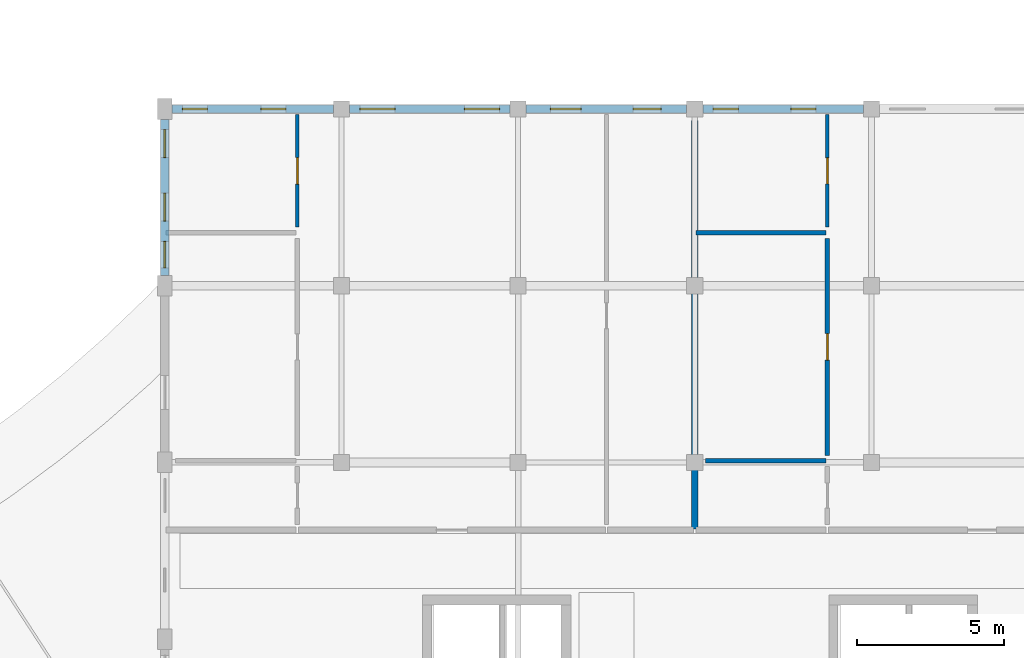
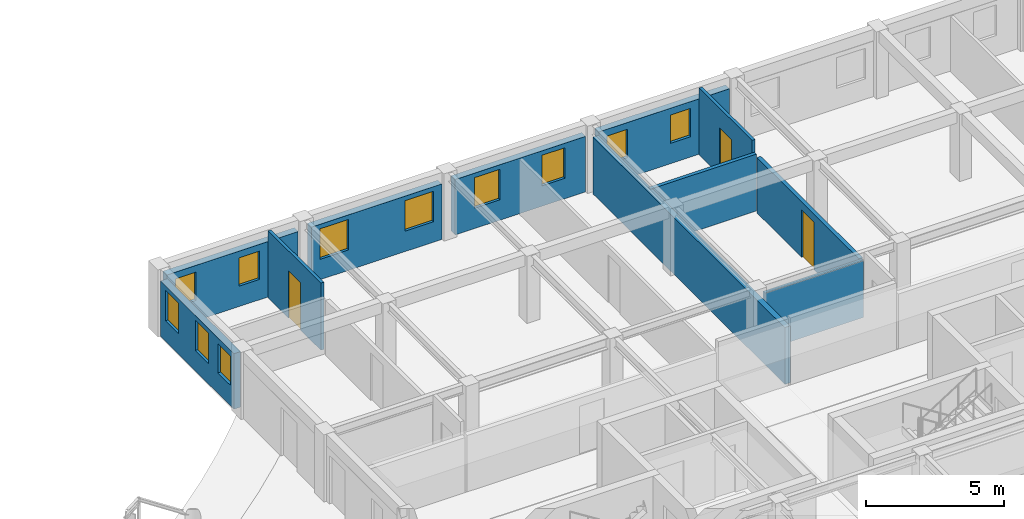
# One storey, part 66 of 101: 11 walls, 11 windows, 3 doors, 14 openings.
"""IFC4 building model written with IfcOpenShell, lengths in metres."""

from ifc_helpers import new_model, si_unit, direction, frame, frame_2d, origin, place, context, subcontext, project, spatial, rectangle, extrude, material, layer, layer_set, type_object, element, fill, save


model = new_model("IFC4")

# Units and contexts
model_context = context("Model", 3, precision=1e-05, world=origin(), true_north=direction((0.0, 1.0)))
body_context = subcontext(model_context, "Body", "Model", "MODEL_VIEW")
ifc_project = project(units=[si_unit("LENGTHUNIT", "METRE"), si_unit("AREAUNIT", "SQUARE_METRE"), si_unit("VOLUMEUNIT", "CUBIC_METRE"), si_unit("PLANEANGLEUNIT", "RADIAN"), si_unit("MASSUNIT", "GRAM", prefix="KILO"), si_unit("POWERUNIT", "WATT"), si_unit("THERMODYNAMICTEMPERATUREUNIT", "KELVIN")], contexts=[model_context])

# Site, building, storey
site_placement = place(None, origin())
site = spatial("IfcSite", under=ifc_project, at=site_placement, CompositionType="ELEMENT")
building_placement = place(site_placement, origin())
building = spatial("IfcBuilding", under=site, at=building_placement, Name="Ruvembo Vaulted Housing Court", CompositionType="ELEMENT")
storey_placement = place(building_placement, frame((0.0, 0.0, 17.300048828125)))
storey = spatial("IfcBuildingStorey", under=building, at=storey_placement, Name="L05", CompositionType="ELEMENT", Elevation=17.300048828125)

# Wall
ifc_material_1 = material(Name="Acoustic Masonry Demising 230", Category="masonry")
ifc_layer_1 = layer(ifc_material_1, 0.22998046875, Name="Acoustic Masonry Demising 230")
ifc_layer_set_1 = layer_set([ifc_layer_1], Name="Acoustic Masonry Demising 230")
wall_type_1 = type_object("IfcWallType", Name="WL-DEM-230", PredefinedType="SOLIDWALL", material=ifc_layer_set_1)
wall_1_placement = place(storey_placement, frame((120.0, 21.739990234375, 0.0), z_axis=(0.0, 0.0, 1.0), x_axis=(0.0, 1.0, 0.0)))
element("IfcWall", 1, at=wall_1_placement, inside=storey, type_object=wall_type_1, Name="L05 Demising C-L05-N1 WL-INT-L05-01517", PredefinedType="SOLIDWALL", context=body_context, shape_type="SweptSolid", body=[
    extrude(rectangle(XDim=13.8701171875, YDim=0.22998046875, at=frame_2d((6.93505859375, 0.0))), origin(), (0.0, 0.0, 1.0), 2.508056640625),
])

# Wall, openings, windows
ifc_material_2 = material(Name="Rendered Masonry 285", Category="masonry")
ifc_layer_2 = layer(ifc_material_2, 0.284912109375, Name="Rendered Masonry 285")
ifc_layer_set_2 = layer_set([ifc_layer_2], Name="Rendered Masonry 285")
wall_type_2 = type_object("IfcWallType", Name="WL-EXT-285", PredefinedType="STANDARD", material=ifc_layer_set_2)
wall_2_placement = place(storey_placement, frame((125.72509765625, 36.0, 0.0), z_axis=(0.0, 0.0, 1.0), x_axis=(-1.0, 0.0, 0.0)))
wall_2 = element("IfcWall", 2, at=wall_2_placement, inside=storey, type_object=wall_type_2, Name="Block C L05 Exterior Wall COURTYARD #3", PredefinedType="STANDARD", context=body_context, shape_type="SweptSolid", body=[
    extrude(rectangle(XDim=5.4501953125, YDim=0.284912109375, at=frame_2d((2.72509765625, 0.0))), origin(), (0.0, 0.0, 1.0), 2.447021484375),
])
opening_1_placement = place(wall_2_placement, frame((1.614990234375, 0.0, 0.89990234375)))
opening_1 = element("IfcOpeningElement", 3, at=opening_1_placement, cuts=wall_2, Name="Opening W03", PredefinedType="OPENING", context=body_context, shape_type="SweptSolid", body=[
    extrude(rectangle(XDim=0.85009765625, YDim=1.25, at=frame_2d((0.425048828125, 0.625))), frame((0.0, 0.15234375, 0.0), z_axis=(0.0, -1.0, 0.0), x_axis=(1.0, 0.0, 0.0)), (0.0, 0.0, 1.0), 0.304931640625),
])
opening_2_placement = place(wall_2_placement, frame((4.25, 0.0, 0.89990234375)))
opening_2 = element("IfcOpeningElement", 4, at=opening_2_placement, cuts=wall_2, Name="Opening W03", PredefinedType="OPENING", context=body_context, shape_type="SweptSolid", body=[
    extrude(rectangle(XDim=0.85009765625, YDim=1.25, at=frame_2d((0.425048828125, 0.625))), frame((0.0, 0.15234375, 0.0), z_axis=(0.0, -1.0, 0.0), x_axis=(1.0, 0.0, 0.0)), (0.0, 0.0, 1.0), 0.304931640625),
])
ifc_material_3 = material(Name="Double Solar-Control Glazing in Aluminium Frame", Category="aluminium")
window_type_1 = type_object("IfcWindowType", Name="WIN-0850x1250", PartitioningType="SINGLE_PANEL", PredefinedType="WINDOW", material=ifc_material_3)
window_1_placement = place(opening_1_placement, origin())
window_1 = element("IfcWindow", 5, at=window_1_placement, inside=storey, type_object=window_type_1, Name="Block C L05 Window #1309", OverallHeight=1.25, OverallWidth=0.85009765625, PartitioningType="SINGLE_PANEL", PredefinedType="WINDOW", context=body_context, shape_type="SweptSolid", body=[
    extrude(rectangle(XDim=0.85009765625, YDim=1.25, at=frame_2d((0.425048828125, 0.625))), frame((0.0, 0.030029296875, 0.0), z_axis=(0.0, -1.0, 0.0), x_axis=(1.0, 0.0, 0.0)), (0.0, 0.0, 1.0), 0.06005859375),
])
fill(opening_1, window_1)
window_2_placement = place(opening_2_placement, origin())
window_2 = element("IfcWindow", 6, at=window_2_placement, inside=storey, type_object=window_type_1, Name="Block C L05 Window #1310", OverallHeight=1.25, OverallWidth=0.85009765625, PartitioningType="SINGLE_PANEL", PredefinedType="WINDOW", context=body_context, shape_type="SweptSolid", body=[
    extrude(rectangle(XDim=0.85009765625, YDim=1.25, at=frame_2d((0.425048828125, 0.625))), frame((0.0, 0.030029296875, 0.0), z_axis=(0.0, -1.0, 0.0), x_axis=(1.0, 0.0, 0.0)), (0.0, 0.0, 1.0), 0.06005859375),
])
fill(opening_2, window_2)

wall_3_placement = place(storey_placement, frame((119.72509765625, 36.0, 0.0), z_axis=(0.0, 0.0, 1.0), x_axis=(-1.0, 0.0, 0.0)))
wall_3 = element("IfcWall", 7, at=wall_3_placement, inside=storey, type_object=wall_type_2, Name="Block C L05 Exterior Wall COURTYARD #4", PredefinedType="STANDARD", context=body_context, shape_type="SweptSolid", body=[
    extrude(rectangle(XDim=5.4501953125, YDim=0.284912109375, at=frame_2d((2.72509765625, 0.0))), origin(), (0.0, 0.0, 1.0), 2.447021484375),
])
opening_3_placement = place(wall_3_placement, frame((0.867431640625, 0.0, 0.89990234375)))
opening_3 = element("IfcOpeningElement", 8, at=opening_3_placement, cuts=wall_3, Name="Opening W07", PredefinedType="OPENING", context=body_context, shape_type="SweptSolid", body=[
    extrude(rectangle(XDim=0.949951171875, YDim=1.35009765625, at=frame_2d((0.47509765625, 0.675048828125))), frame((0.0, 0.15234375, 0.0), z_axis=(0.0, -1.0, 0.0), x_axis=(1.0, 0.0, 0.0)), (0.0, 0.0, 1.0), 0.304931640625),
])
opening_4_placement = place(wall_3_placement, frame((3.58251953125, 0.0, 0.89990234375)))
opening_4 = element("IfcOpeningElement", 9, at=opening_4_placement, cuts=wall_3, Name="Opening W09", PredefinedType="OPENING", context=body_context, shape_type="SweptSolid", body=[
    extrude(rectangle(XDim=1.050048828125, YDim=1.35009765625, at=frame_2d((0.52490234375, 0.675048828125))), frame((0.0, 0.15234375, 0.0), z_axis=(0.0, -1.0, 0.0), x_axis=(1.0, 0.0, 0.0)), (0.0, 0.0, 1.0), 0.304931640625),
])
window_type_2 = type_object("IfcWindowType", Name="WIN-0950x1350", PartitioningType="SINGLE_PANEL", PredefinedType="WINDOW", material=ifc_material_3)
window_3_placement = place(opening_3_placement, origin())
window_3 = element("IfcWindow", 10, at=window_3_placement, inside=storey, type_object=window_type_2, Name="Block C L05 Window #1311", OverallHeight=1.35009765625, OverallWidth=0.949951171875, PartitioningType="SINGLE_PANEL", PredefinedType="WINDOW", context=body_context, shape_type="SweptSolid", body=[
    extrude(rectangle(XDim=0.949951171875, YDim=1.35009765625, at=frame_2d((0.47509765625, 0.675048828125))), frame((0.0, 0.030029296875, 0.0), z_axis=(0.0, -1.0, 0.0), x_axis=(1.0, 0.0, 0.0)), (0.0, 0.0, 1.0), 0.06005859375),
])
fill(opening_3, window_3)
window_type_3 = type_object("IfcWindowType", Name="WIN-1050x1350", PartitioningType="SINGLE_PANEL", PredefinedType="WINDOW", material=ifc_material_3)
window_4_placement = place(opening_4_placement, origin())
window_4 = element("IfcWindow", 11, at=window_4_placement, inside=storey, type_object=window_type_3, Name="Block C L05 Window #1312", OverallHeight=1.35009765625, OverallWidth=1.050048828125, PartitioningType="SINGLE_PANEL", PredefinedType="WINDOW", context=body_context, shape_type="SweptSolid", body=[
    extrude(rectangle(XDim=1.050048828125, YDim=1.35009765625, at=frame_2d((0.52490234375, 0.675048828125))), frame((0.0, 0.030029296875, 0.0), z_axis=(0.0, -1.0, 0.0), x_axis=(1.0, 0.0, 0.0)), (0.0, 0.0, 1.0), 0.06005859375),
])
fill(opening_4, window_4)

wall_4_placement = place(storey_placement, frame((113.72509765625, 36.0, 0.0), z_axis=(0.0, 0.0, 1.0), x_axis=(-1.0, 0.0, 0.0)))
wall_4 = element("IfcWall", 12, at=wall_4_placement, inside=storey, type_object=wall_type_2, Name="Block C L05 Exterior Wall COURTYARD #5", PredefinedType="STANDARD", context=body_context, shape_type="SweptSolid", body=[
    extrude(rectangle(XDim=5.4501953125, YDim=0.284912109375, at=frame_2d((2.72509765625, 0.0))), origin(), (0.0, 0.0, 1.0), 2.447021484375),
])
opening_5_placement = place(wall_4_placement, frame((0.35009765625, 0.0, 0.89990234375)))
opening_5 = element("IfcOpeningElement", 13, at=opening_5_placement, cuts=wall_4, Name="Opening W12", PredefinedType="OPENING", context=body_context, shape_type="SweptSolid", body=[
    extrude(rectangle(XDim=1.199951171875, YDim=1.35009765625, at=frame_2d((0.60009765625, 0.675048828125))), frame((0.0, 0.15234375, 0.0), z_axis=(0.0, -1.0, 0.0), x_axis=(1.0, 0.0, 0.0)), (0.0, 0.0, 1.0), 0.304931640625),
])
opening_6_placement = place(wall_4_placement, frame((3.89990234375, 0.0, 0.89990234375)))
opening_6 = element("IfcOpeningElement", 14, at=opening_6_placement, cuts=wall_4, Name="Opening W12", PredefinedType="OPENING", context=body_context, shape_type="SweptSolid", body=[
    extrude(rectangle(XDim=1.199951171875, YDim=1.35009765625, at=frame_2d((0.60009765625, 0.675048828125))), frame((0.0, 0.15234375, 0.0), z_axis=(0.0, -1.0, 0.0), x_axis=(1.0, 0.0, 0.0)), (0.0, 0.0, 1.0), 0.304931640625),
])
window_type_4 = type_object("IfcWindowType", Name="WIN-1200x1350", PartitioningType="SINGLE_PANEL", PredefinedType="WINDOW", material=ifc_material_3)
window_5_placement = place(opening_5_placement, origin())
window_5 = element("IfcWindow", 15, at=window_5_placement, inside=storey, type_object=window_type_4, Name="Block C L05 Window #1313", OverallHeight=1.35009765625, OverallWidth=1.199951171875, PartitioningType="SINGLE_PANEL", PredefinedType="WINDOW", context=body_context, shape_type="SweptSolid", body=[
    extrude(rectangle(XDim=1.199951171875, YDim=1.35009765625, at=frame_2d((0.60009765625, 0.675048828125))), frame((0.0, 0.030029296875, 0.0), z_axis=(0.0, -1.0, 0.0), x_axis=(1.0, 0.0, 0.0)), (0.0, 0.0, 1.0), 0.06005859375),
])
fill(opening_5, window_5)
window_6_placement = place(opening_6_placement, origin())
window_6 = element("IfcWindow", 16, at=window_6_placement, inside=storey, type_object=window_type_4, Name="Block C L05 Window #1314", OverallHeight=1.35009765625, OverallWidth=1.199951171875, PartitioningType="SINGLE_PANEL", PredefinedType="WINDOW", context=body_context, shape_type="SweptSolid", body=[
    extrude(rectangle(XDim=1.199951171875, YDim=1.35009765625, at=frame_2d((0.60009765625, 0.675048828125))), frame((0.0, 0.030029296875, 0.0), z_axis=(0.0, -1.0, 0.0), x_axis=(1.0, 0.0, 0.0)), (0.0, 0.0, 1.0), 0.06005859375),
])
fill(opening_6, window_6)

wall_5_placement = place(storey_placement, frame((107.72509765625, 36.0, 0.0), z_axis=(0.0, 0.0, 1.0), x_axis=(-1.0, 0.0, 0.0)))
wall_5 = element("IfcWall", 17, at=wall_5_placement, inside=storey, type_object=wall_type_2, Name="Block C L05 Exterior Wall COURTYARD #6", PredefinedType="STANDARD", context=body_context, shape_type="SweptSolid", body=[
    extrude(rectangle(XDim=5.47509765625, YDim=0.284912109375, at=frame_2d((2.737548828125, 0.0))), origin(), (0.0, 0.0, 1.0), 2.447021484375),
])
opening_7_placement = place(wall_5_placement, frame((1.614990234375, 0.0, 0.89990234375)))
opening_7 = element("IfcOpeningElement", 18, at=opening_7_placement, cuts=wall_5, Name="Opening W03", PredefinedType="OPENING", context=body_context, shape_type="SweptSolid", body=[
    extrude(rectangle(XDim=0.85009765625, YDim=1.25, at=frame_2d((0.425048828125, 0.625))), frame((0.0, 0.15234375, 0.0), z_axis=(0.0, -1.0, 0.0), x_axis=(1.0, 0.0, 0.0)), (0.0, 0.0, 1.0), 0.304931640625),
])
opening_8_placement = place(wall_5_placement, frame((4.27490234375, 0.0, 0.89990234375)))
opening_8 = element("IfcOpeningElement", 19, at=opening_8_placement, cuts=wall_5, Name="Opening W03", PredefinedType="OPENING", context=body_context, shape_type="SweptSolid", body=[
    extrude(rectangle(XDim=0.85009765625, YDim=1.25, at=frame_2d((0.425048828125, 0.625))), frame((0.0, 0.15234375, 0.0), z_axis=(0.0, -1.0, 0.0), x_axis=(1.0, 0.0, 0.0)), (0.0, 0.0, 1.0), 0.304931640625),
])
window_7_placement = place(opening_7_placement, origin())
window_7 = element("IfcWindow", 20, at=window_7_placement, inside=storey, type_object=window_type_1, Name="Block C L05 Window #1315", OverallHeight=1.25, OverallWidth=0.85009765625, PartitioningType="SINGLE_PANEL", PredefinedType="WINDOW", context=body_context, shape_type="SweptSolid", body=[
    extrude(rectangle(XDim=0.85009765625, YDim=1.25, at=frame_2d((0.425048828125, 0.625))), frame((0.0, 0.030029296875, 0.0), z_axis=(0.0, -1.0, 0.0), x_axis=(1.0, 0.0, 0.0)), (0.0, 0.0, 1.0), 0.06005859375),
])
fill(opening_7, window_7)
window_8_placement = place(opening_8_placement, origin())
window_8 = element("IfcWindow", 21, at=window_8_placement, inside=storey, type_object=window_type_1, Name="Block C L05 Window #1316", OverallHeight=1.25, OverallWidth=0.85009765625, PartitioningType="SINGLE_PANEL", PredefinedType="WINDOW", context=body_context, shape_type="SweptSolid", body=[
    extrude(rectangle(XDim=0.85009765625, YDim=1.25, at=frame_2d((0.425048828125, 0.625))), frame((0.0, 0.030029296875, 0.0), z_axis=(0.0, -1.0, 0.0), x_axis=(1.0, 0.0, 0.0)), (0.0, 0.0, 1.0), 0.06005859375),
])
fill(opening_8, window_8)

wall_6_placement = place(storey_placement, frame((102.0, 35.64990234375, 0.0), z_axis=(0.0, 0.0, 1.0), x_axis=(0.0, -1.0, 0.0)))
wall_6 = element("IfcWall", 22, at=wall_6_placement, inside=storey, type_object=wall_type_2, Name="Block C L05 Exterior Wall WEST #1", PredefinedType="STANDARD", context=body_context, shape_type="SweptSolid", body=[
    extrude(rectangle(XDim=5.2998046875, YDim=0.284912109375, at=frame_2d((2.64990234375, 0.0))), origin(), (0.0, 0.0, 1.0), 2.447021484375),
])
opening_9_placement = place(wall_6_placement, frame((0.35009765625, 0.0, 0.89990234375)))
opening_9 = element("IfcOpeningElement", 23, at=opening_9_placement, cuts=wall_6, Name="Opening W07", PredefinedType="OPENING", context=body_context, shape_type="SweptSolid", body=[
    extrude(rectangle(XDim=0.949951171875, YDim=1.35009765625, at=frame_2d((0.47509765625, 0.675048828125))), frame((0.0, 0.15234375, 0.0), z_axis=(0.0, -1.0, 0.0), x_axis=(1.0, 0.0, 0.0)), (0.0, 0.0, 1.0), 0.304931640625),
])
opening_10_placement = place(wall_6_placement, frame((2.510009765625, 0.0, 0.89990234375)))
opening_10 = element("IfcOpeningElement", 24, at=opening_10_placement, cuts=wall_6, Name="Opening W07", PredefinedType="OPENING", context=body_context, shape_type="SweptSolid", body=[
    extrude(rectangle(XDim=0.949951171875, YDim=1.35009765625, at=frame_2d((0.47509765625, 0.675048828125))), frame((0.0, 0.15234375, 0.0), z_axis=(0.0, -1.0, 0.0), x_axis=(1.0, 0.0, 0.0)), (0.0, 0.0, 1.0), 0.304931640625),
])
opening_11_placement = place(wall_6_placement, frame((4.14501953125, 0.0, 0.89990234375)))
opening_11 = element("IfcOpeningElement", 25, at=opening_11_placement, cuts=wall_6, Name="Opening W04", PredefinedType="OPENING", context=body_context, shape_type="SweptSolid", body=[
    extrude(rectangle(XDim=0.89990234375, YDim=1.300048828125, at=frame_2d((0.449951171875, 0.64990234375))), frame((0.0, 0.15234375, 0.0), z_axis=(0.0, -1.0, 0.0), x_axis=(1.0, 0.0, 0.0)), (0.0, 0.0, 1.0), 0.304931640625),
])
window_type_5 = type_object("IfcWindowType", Name="WIN-0900x1300", PartitioningType="SINGLE_PANEL", PredefinedType="WINDOW", material=ifc_material_3)
window_9_placement = place(opening_11_placement, origin())
window_9 = element("IfcWindow", 26, at=window_9_placement, inside=storey, type_object=window_type_5, Name="Block C L05 Window #1319", OverallHeight=1.300048828125, OverallWidth=0.89990234375, PartitioningType="SINGLE_PANEL", PredefinedType="WINDOW", context=body_context, shape_type="SweptSolid", body=[
    extrude(rectangle(XDim=0.89990234375, YDim=1.300048828125, at=frame_2d((0.449951171875, 0.64990234375))), frame((0.0, 0.030029296875, 0.0), z_axis=(0.0, -1.0, 0.0), x_axis=(1.0, 0.0, 0.0)), (0.0, 0.0, 1.0), 0.06005859375),
])
fill(opening_11, window_9)
window_10_placement = place(opening_9_placement, origin())
window_10 = element("IfcWindow", 27, at=window_10_placement, inside=storey, type_object=window_type_2, Name="Block C L05 Window #1317", OverallHeight=1.35009765625, OverallWidth=0.949951171875, PartitioningType="SINGLE_PANEL", PredefinedType="WINDOW", context=body_context, shape_type="SweptSolid", body=[
    extrude(rectangle(XDim=0.949951171875, YDim=1.35009765625, at=frame_2d((0.47509765625, 0.675048828125))), frame((0.0, 0.030029296875, 0.0), z_axis=(0.0, -1.0, 0.0), x_axis=(1.0, 0.0, 0.0)), (0.0, 0.0, 1.0), 0.06005859375),
])
fill(opening_9, window_10)
window_11_placement = place(opening_10_placement, origin())
window_11 = element("IfcWindow", 28, at=window_11_placement, inside=storey, type_object=window_type_2, Name="Block C L05 Window #1318", OverallHeight=1.35009765625, OverallWidth=0.949951171875, PartitioningType="SINGLE_PANEL", PredefinedType="WINDOW", context=body_context, shape_type="SweptSolid", body=[
    extrude(rectangle(XDim=0.949951171875, YDim=1.35009765625, at=frame_2d((0.47509765625, 0.675048828125))), frame((0.0, 0.030029296875, 0.0), z_axis=(0.0, -1.0, 0.0), x_axis=(1.0, 0.0, 0.0)), (0.0, 0.0, 1.0), 0.06005859375),
])
fill(opening_10, window_11)

# Wall, opening, door
ifc_material_4 = material(Name="Plasterboard Stud Partition 125", Category="gypsum")
ifc_layer_3 = layer(ifc_material_4, 0.125, Name="Plasterboard Stud Partition 125")
ifc_layer_set_3 = layer_set([ifc_layer_3], Name="Plasterboard Stud Partition 125")
wall_type_3 = type_object("IfcWallType", Name="WL-PART-125", PredefinedType="PARTITIONING", material=ifc_layer_set_3)
wall_7_placement = place(storey_placement, frame((106.5, 31.989990234375, 0.0), z_axis=(0.0, 0.0, 1.0), x_axis=(0.0, 1.0, 0.0)))
wall_7 = element("IfcWall", 29, at=wall_7_placement, inside=storey, type_object=wall_type_3, Name="L05 Flat C-L05-N1 Bedroom 1 WL-INT-L05-01520", PredefinedType="PARTITIONING", context=body_context, shape_type="SweptSolid", body=[
    extrude(rectangle(XDim=3.820068359375, YDim=0.125, at=frame_2d((1.91015625, 0.0))), origin(), (0.0, 0.0, 1.0), 2.96484375),
])
opening_12_placement = place(wall_7_placement, frame((1.4599609375, 0.0, 0.0)))
opening_12 = element("IfcOpeningElement", 30, at=opening_12_placement, cuts=wall_7, Name="Opening ID1", PredefinedType="OPENING", context=body_context, shape_type="SweptSolid", body=[
    extrude(rectangle(XDim=0.89990234375, YDim=2.10009765625, at=frame_2d((0.449951171875, 1.050048828125))), frame((0.0, 0.072509765625, 0.0), z_axis=(0.0, -1.0, 0.0), x_axis=(1.0, 0.0, 0.0)), (0.0, 0.0, 1.0), 0.14501953125),
])
ifc_material_5 = material(Name="FSC Hardwood and Engineered Timber", Category="wood")
door_type_1 = type_object("IfcDoorType", Name="DR-ROOM-0900x2100", OperationType="NOTDEFINED", PredefinedType="DOOR", material=ifc_material_5)
door_1_placement = place(opening_12_placement, origin())
door_1 = element("IfcDoor", 31, at=door_1_placement, inside=storey, type_object=door_type_1, Name="L05 Flat C-L05-N1 Bedroom 1 Door DR-INT-L05-00852", OperationType="SINGLE_SWING_RIGHT", OverallHeight=2.10009765625, OverallWidth=0.89990234375, PredefinedType="DOOR", context=body_context, shape_type="SweptSolid", body=[
    extrude(rectangle(XDim=0.89990234375, YDim=2.10009765625, at=frame_2d((0.449951171875, 1.050048828125))), frame((0.0, 0.02490234375, 0.0), z_axis=(0.0, -1.0, 0.0), x_axis=(1.0, 0.0, 0.0)), (0.0, 0.0, 1.0), 0.050048828125),
])
fill(opening_12, door_1)

wall_8_placement = place(storey_placement, frame((124.5, 31.989990234375, 0.0), z_axis=(0.0, 0.0, 1.0), x_axis=(0.0, 1.0, 0.0)))
wall_8 = element("IfcWall", 32, at=wall_8_placement, inside=storey, type_object=wall_type_3, Name="L05 Flat C-L05-N2 Bedroom 1 WL-INT-L05-01529", PredefinedType="PARTITIONING", context=body_context, shape_type="SweptSolid", body=[
    extrude(rectangle(XDim=3.820068359375, YDim=0.125, at=frame_2d((1.91015625, 0.0))), origin(), (0.0, 0.0, 1.0), 2.96484375),
])
opening_13_placement = place(wall_8_placement, frame((1.469970703125, 0.0, 0.0)))
opening_13 = element("IfcOpeningElement", 33, at=opening_13_placement, cuts=wall_8, Name="Opening ID3", PredefinedType="OPENING", context=body_context, shape_type="SweptSolid", body=[
    extrude(rectangle(XDim=0.8798828125, YDim=2.10009765625, at=frame_2d((0.43994140625, 1.050048828125))), frame((0.0, 0.072509765625, 0.0), z_axis=(0.0, -1.0, 0.0), x_axis=(1.0, 0.0, 0.0)), (0.0, 0.0, 1.0), 0.14501953125),
])
door_type_2 = type_object("IfcDoorType", Name="DR-ROOM-0880x2100", OperationType="NOTDEFINED", PredefinedType="DOOR", material=ifc_material_5)
door_2_placement = place(opening_13_placement, origin())
door_2 = element("IfcDoor", 34, at=door_2_placement, inside=storey, type_object=door_type_2, Name="L05 Flat C-L05-N2 Bedroom 1 Door DR-INT-L05-00857", OperationType="SINGLE_SWING_LEFT", OverallHeight=2.10009765625, OverallWidth=0.8798828125, PredefinedType="DOOR", context=body_context, shape_type="SweptSolid", body=[
    extrude(rectangle(XDim=0.8798828125, YDim=2.10009765625, at=frame_2d((0.43994140625, 1.050048828125))), frame((0.0, 0.02490234375, 0.0), z_axis=(0.0, -1.0, 0.0), x_axis=(1.0, 0.0, 0.0)), (0.0, 0.0, 1.0), 0.050048828125),
])
fill(opening_13, door_2)

# Walls
ifc_material_6 = material(Name="Moisture-Resistant Wet Partition 150", Category="gypsum")
ifc_layer_4 = layer(ifc_material_6, 0.14990234375, Name="Moisture-Resistant Wet Partition 150")
ifc_layer_set_4 = layer_set([ifc_layer_4], Name="Moisture-Resistant Wet Partition 150")
wall_type_4 = type_object("IfcWallType", Name="WL-PART-150", PredefinedType="PARTITIONING", material=ifc_layer_set_4)
wall_9_placement = place(storey_placement, frame((120.0400390625, 31.800048828125, 0.0), z_axis=(0.0, 0.0, 1.0), x_axis=(1.0, 0.0, 0.0)))
element("IfcWall", 35, at=wall_9_placement, inside=storey, type_object=wall_type_4, Name="L05 Flat C-L05-N2 Wet Wall 1 WL-INT-L05-01532", PredefinedType="PARTITIONING", context=body_context, shape_type="SweptSolid", body=[
    extrude(rectangle(XDim=4.419921875, YDim=0.14990234375, at=frame_2d((2.2099609375, 0.0))), origin(), (0.0, 0.0, 1.0), 2.508056640625),
])
wall_10_placement = place(storey_placement, frame((120.360107421875, 24.050048828125, 0.0), z_axis=(0.0, 0.0, 1.0), x_axis=(1.0, 0.0, 0.0)))
element("IfcWall", 36, at=wall_10_placement, inside=storey, type_object=wall_type_4, Name="L05 Flat C-L05-N2 Wet Wall 2 WL-INT-L05-01533", PredefinedType="PARTITIONING", context=body_context, shape_type="SweptSolid", body=[
    extrude(rectangle(XDim=4.099853515625, YDim=0.14990234375, at=frame_2d((2.0498046875, 0.0))), origin(), (0.0, 0.0, 1.0), 2.508056640625),
])

# Wall, opening, door
ifc_material_7 = material(Name="Acoustic Service Chase Wall 160", Category="gypsum")
ifc_layer_5 = layer(ifc_material_7, 0.159912109375, Name="Acoustic Service Chase Wall 160")
ifc_layer_set_5 = layer_set([ifc_layer_5], Name="Acoustic Service Chase Wall 160")
wall_type_5 = type_object("IfcWallType", Name="WL-PLUMB-160", PredefinedType="PLUMBINGWALL", material=ifc_layer_set_5)
wall_11_placement = place(storey_placement, frame((124.5, 24.239990234375, 0.0), z_axis=(0.0, 0.0, 1.0), x_axis=(0.0, 1.0, 0.0)))
wall_11 = element("IfcWall", 37, at=wall_11_placement, inside=storey, type_object=wall_type_5, Name="L05 Flat C-L05-N2 Kitchen WL-INT-L05-01530", PredefinedType="PLUMBINGWALL", context=body_context, shape_type="SweptSolid", body=[
    extrude(rectangle(XDim=7.3701171875, YDim=0.159912109375, at=frame_2d((3.68505859375, 0.0))), origin(), (0.0, 0.0, 1.0), 2.447021484375),
])
opening_14_placement = place(wall_11_placement, frame((3.235107421875, 0.0, 0.0)))
opening_14 = element("IfcOpeningElement", 38, at=opening_14_placement, cuts=wall_11, Name="Opening ID1", PredefinedType="OPENING", context=body_context, shape_type="SweptSolid", body=[
    extrude(rectangle(XDim=0.89990234375, YDim=2.10009765625, at=frame_2d((0.449951171875, 1.050048828125))), frame((0.0, 0.08984375, 0.0), z_axis=(0.0, -1.0, 0.0), x_axis=(1.0, 0.0, 0.0)), (0.0, 0.0, 1.0), 0.179931640625),
])
door_3_placement = place(opening_14_placement, origin())
door_3 = element("IfcDoor", 39, at=door_3_placement, inside=storey, type_object=door_type_1, Name="L05 Flat C-L05-N2 Kitchen Door DR-INT-L05-00858", OperationType="SINGLE_SWING_RIGHT", OverallHeight=2.10009765625, OverallWidth=0.89990234375, PredefinedType="DOOR", context=body_context, shape_type="SweptSolid", body=[
    extrude(rectangle(XDim=0.89990234375, YDim=2.10009765625, at=frame_2d((0.449951171875, 1.050048828125))), frame((0.0, 0.02490234375, 0.0), z_axis=(0.0, -1.0, 0.0), x_axis=(1.0, 0.0, 0.0)), (0.0, 0.0, 1.0), 0.050048828125),
])
fill(opening_14, door_3)

save(model, "model.ifc")
